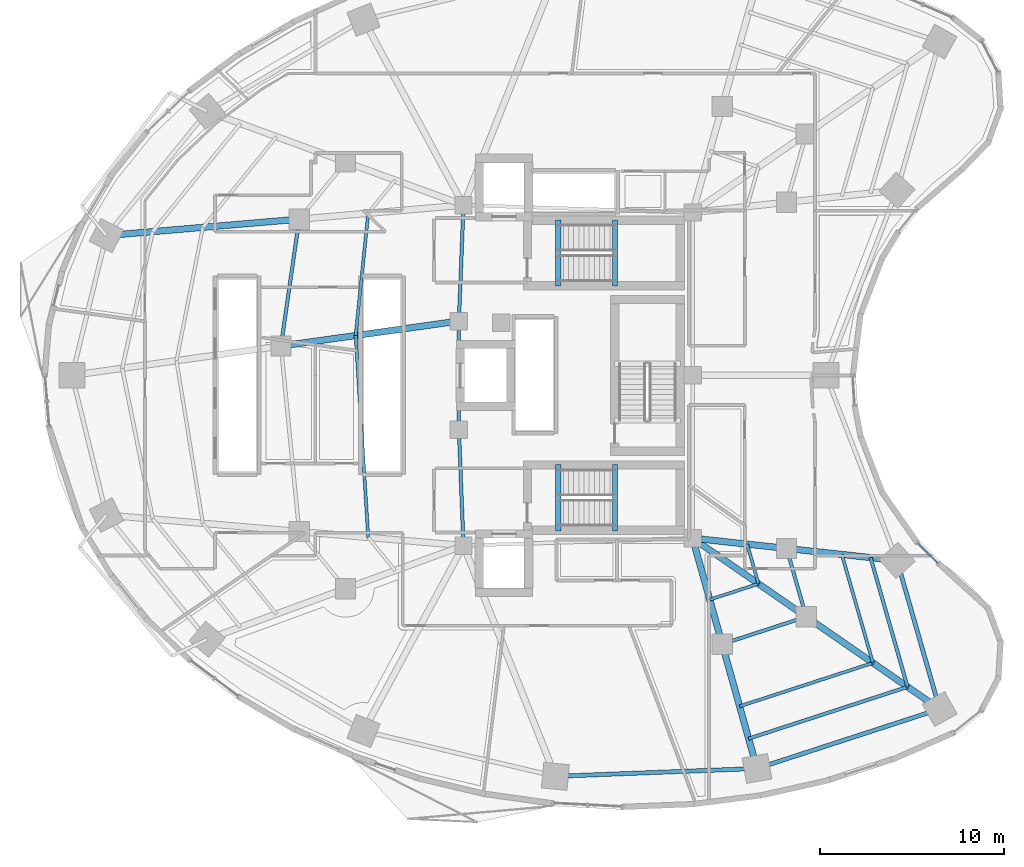
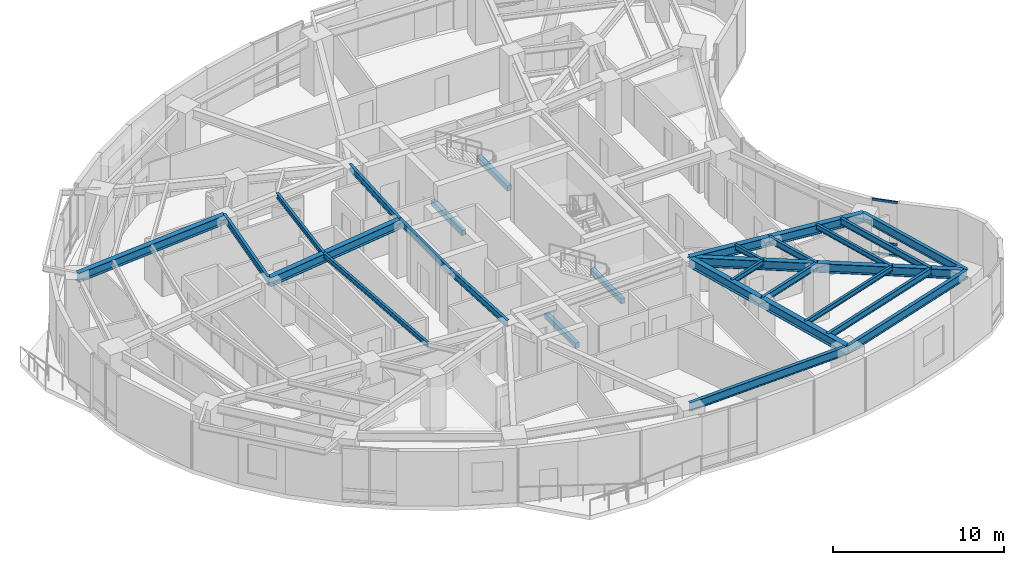
# One storey, part 3 of 16: 29 beams, 3 members, 1 element without a shape of its own.
"""IFC4 building model written with IfcOpenShell, lengths in metres."""

from ifc_helpers import new_model, si_unit, direction, frame, origin, origin_2d, place, context, subcontext, project, spatial, rectangle, i_section, extrude, material, layer, layer_set, material_profile, profile_set, type_object, element, aggregate, save


model = new_model("IFC4")

# Units and contexts
model_context = context("Model", 3, precision=1e-05, world=origin(), true_north=direction((0.0, 1.0)))
body_context = subcontext(model_context, "Body", "Model", "MODEL_VIEW")
ifc_project = project(units=[si_unit("LENGTHUNIT", "METRE"), si_unit("AREAUNIT", "SQUARE_METRE"), si_unit("VOLUMEUNIT", "CUBIC_METRE"), si_unit("PLANEANGLEUNIT", "RADIAN"), si_unit("MASSUNIT", "GRAM", prefix="KILO")], contexts=[model_context])

# Site, building, storey
site_placement = place(None, origin())
site = spatial("IfcSite", under=ifc_project, at=site_placement, CompositionType="ELEMENT")
building_placement = place(site_placement, origin())
building = spatial("IfcBuilding", under=site, at=building_placement, Name="Korentha Bioscience Tower", CompositionType="ELEMENT")
storey_placement = place(building_placement, frame((0.0, 0.0, 59.39990234375)))
storey = spatial("IfcBuildingStorey", under=building, at=storey_placement, Name="L13", CompositionType="ELEMENT", Elevation=59.39990234375)

# Beams
ifc_material_1 = material(Name="Concrete C50", Category="concrete")
ifc_material_profile_1 = material_profile(ifc_material_1, rectangle(XDim=0.280029296875, YDim=0.3798828125, at=origin_2d()), Name="Concrete C50")
ifc_profile_set_1 = profile_set([ifc_material_profile_1], Name="Concrete C50 (ST-HB380)")
beam_type_1 = type_object("IfcBeamType", Name="Concrete Stair Header Beam RC 280x380", PredefinedType="BEAM", material=ifc_profile_set_1)
for number, where, z_axis, x_axis, name in (
    (1, (30.25, 31.85009765625, -0.18994140625), (0.0, 1.0, 0.0), (-1.0, 0.0, 0.0), "L13 ST-1 Concrete Stair Header Beam"),
    (2, (33.330078125, 31.85009765625, 1.91015625), (0.0, 1.0, 0.0), (-1.0, 0.0, 0.0), "L13 ST-1 Half-Landing Header Beam 1"),
    (3, (30.25, 18.550048828125, -0.18994140625), (0.0, 1.0, 0.0), (-1.0, 0.0, 0.0), "L13 ST-2 Concrete Stair Header Beam"),
    (4, (33.330078125, 18.550048828125, 1.91015625), (0.0, 1.0, 0.0), (-1.0, 0.0, 0.0), "L13 ST-2 Half-Landing Header Beam 1"),
):
    element("IfcBeam", number, at=place(storey_placement, frame(where, z_axis=z_axis, x_axis=x_axis)), inside=storey, type_object=beam_type_1, Name=name, PredefinedType="BEAM", context=body_context, shape_type="SweptSolid", body=[
        extrude(rectangle(XDim=0.280029296875, YDim=0.3798828125, at=origin_2d()), origin(), (0.0, 0.0, 1.0), 3.599853515625),
    ])
ifc_material_2 = material(Name="Steel S355", Category="steel")
ifc_material_profile_2 = material_profile(ifc_material_2, i_section(OverallWidth=0.18994140625, OverallDepth=0.45703125, WebThickness=0.009033203125, FlangeThickness=0.014404296875, at=origin_2d()), Name="Steel S355")
ifc_profile_set_2 = profile_set([ifc_material_profile_2], Name="Steel S355 (MB-460)")
beam_type_2 = type_object("IfcBeamType", Name="Mid-Ring Tie Girder W460x74", PredefinedType="BEAM", material=ifc_profile_set_2)
beam_1_placement = place(storey_placement, frame((16.174072265625, 35.489013671875, 3.671630859375), z_axis=(-0.14286846228, -0.989741684727, 0.0), x_axis=(0.989741684727, -0.14286846228, 0.0)))
element("IfcBeam", 5, at=beam_1_placement, inside=storey, type_object=beam_type_2, Name="L13 Mid-Ring Tie Girder 06", PredefinedType="BEAM", context=body_context, shape_type="SweptSolid", body=[
    extrude(i_section(OverallWidth=0.18994140625, OverallDepth=0.45703125, WebThickness=0.009033203125, FlangeThickness=0.014404296875, at=origin_2d()), origin(), (0.0, 0.0, 1.0), 6.967041015625),
])
beam_2_placement = place(storey_placement, frame((39.1611328125, 12.392333984375, 3.671630859375), z_axis=(0.950877001105, 0.309568940253, 0.0), x_axis=(-0.309568940253, 0.950877001105, 0.0)))
element("IfcBeam", 6, at=beam_2_placement, inside=storey, type_object=beam_type_2, Name="L13 Mid-Ring Tie Girder 12", PredefinedType="BEAM", context=body_context, shape_type="SweptSolid", body=[
    extrude(i_section(OverallWidth=0.18994140625, OverallDepth=0.45703125, WebThickness=0.009033203125, FlangeThickness=0.014404296875, at=origin_2d()), origin(), (0.0, 0.0, 1.0), 4.80126953125),
])
beam_3_placement = place(storey_placement, frame((43.7265625, 13.878662109375, 3.671630859375), z_axis=(-0.27560557792, 0.961270807535, 0.0), x_axis=(-0.961270807535, -0.27560557792, 0.0)))
element("IfcBeam", 7, at=beam_3_placement, inside=storey, type_object=beam_type_2, Name="L13 Mid-Ring Tie Girder 13", PredefinedType="BEAM", context=body_context, shape_type="SweptSolid", body=[
    extrude(i_section(OverallWidth=0.18994140625, OverallDepth=0.45703125, WebThickness=0.009033203125, FlangeThickness=0.014404296875, at=origin_2d()), origin(), (0.0, 0.0, 1.0), 3.864013671875),
])
beam_4_placement = place(storey_placement, frame((25.10009765625, 36.25, 3.671630859375), z_axis=(-0.039651025576, -0.999213588864, 0.0), x_axis=(0.999213588864, -0.039651025576, 0.0)))
element("IfcBeam", 8, at=beam_4_placement, inside=storey, type_object=beam_type_2, Name="L13 Core Ring Tie Girder 02", PredefinedType="BEAM", context=body_context, shape_type="SweptSolid", body=[
    extrude(i_section(OverallWidth=0.18994140625, OverallDepth=0.45703125, WebThickness=0.009033203125, FlangeThickness=0.014404296875, at=origin_2d()), origin(), (0.0, 0.0, 1.0), 6.304931640625),
])
beam_5_placement = place(storey_placement, frame((24.85009765625, 29.949951171875, 3.671630859375), z_axis=(0.0, -1.0, 0.0), x_axis=(1.0, 0.0, 0.0)))
element("IfcBeam", 9, at=beam_5_placement, inside=storey, type_object=beam_type_2, Name="L13 Core Ring Tie Girder 03", PredefinedType="BEAM", context=body_context, shape_type="SweptSolid", body=[
    extrude(i_section(OverallWidth=0.18994140625, OverallDepth=0.45703125, WebThickness=0.009033203125, FlangeThickness=0.014404296875, at=origin_2d()), origin(), (0.0, 0.0, 1.0), 5.89990234375),
])
beam_6_placement = place(storey_placement, frame((24.85009765625, 24.050048828125, 3.671630859375), z_axis=(0.039651025576, -0.999213588864, 0.0), x_axis=(0.999213588864, 0.039651025576, 0.0)))
element("IfcBeam", 10, at=beam_6_placement, inside=storey, type_object=beam_type_2, Name="L13 Core Ring Tie Girder 04", PredefinedType="BEAM", context=body_context, shape_type="SweptSolid", body=[
    extrude(i_section(OverallWidth=0.18994140625, OverallDepth=0.45703125, WebThickness=0.009033203125, FlangeThickness=0.014404296875, at=origin_2d()), origin(), (0.0, 0.0, 1.0), 6.304931640625),
])
ifc_material_profile_3 = material_profile(ifc_material_2, i_section(OverallWidth=0.22802734375, OverallDepth=0.60791015625, WebThickness=0.01123046875, FlangeThickness=0.017333984375, at=origin_2d()), Name="Steel S355")
ifc_profile_set_3 = profile_set([ifc_material_profile_3], Name="Steel S355 (SB-610)")
beam_type_3 = type_object("IfcBeamType", Name="Perimeter Ring Spandrel Girder W610x113", PredefinedType="SPANDREL", material=ifc_profile_set_3)
beam_7_placement = place(storey_placement, frame((30.09423828125, 5.20751953125, 3.59619140625), z_axis=(0.999246003889, 0.03882555488, 0.0), x_axis=(-0.03882555488, 0.999246003889, 0.0)))
element("IfcBeam", 11, at=beam_7_placement, inside=storey, type_object=beam_type_3, Name="L13 Perimeter Spandrel Girder 11", PredefinedType="SPANDREL", context=body_context, shape_type="SweptSolid", body=[
    extrude(i_section(OverallWidth=0.22802734375, OverallDepth=0.60791015625, WebThickness=0.01123046875, FlangeThickness=0.017333984375, at=origin_2d()), origin(), (0.0, 0.0, 1.0), 10.966552734375),
])
beam_8_placement = place(storey_placement, frame((41.052490234375, 5.63330078125, 3.59619140625), z_axis=(0.95087511444, 0.309574735305, 0.0), x_axis=(-0.309574735305, 0.95087511444, 0.0)))
element("IfcBeam", 12, at=beam_8_placement, inside=storey, type_object=beam_type_3, Name="L13 Perimeter Spandrel Girder 12", PredefinedType="SPANDREL", context=body_context, shape_type="SweptSolid", body=[
    extrude(i_section(OverallWidth=0.22802734375, OverallDepth=0.60791015625, WebThickness=0.01123046875, FlangeThickness=0.017333984375, at=origin_2d()), origin(), (0.0, 0.0, 1.0), 10.4375),
])
beam_9_placement = place(storey_placement, frame((50.977294921875, 8.864501953125, 3.59619140625), z_axis=(-0.275642273411, 0.961260285827, 0.0), x_axis=(-0.961260285827, -0.275642273411, 0.0)))
element("IfcBeam", 13, at=beam_9_placement, inside=storey, type_object=beam_type_3, Name="L13 Perimeter Spandrel Girder 13", PredefinedType="SPANDREL", context=body_context, shape_type="SweptSolid", body=[
    extrude(i_section(OverallWidth=0.22802734375, OverallDepth=0.60791015625, WebThickness=0.01123046875, FlangeThickness=0.017333984375, at=origin_2d()), origin(), (0.0, 0.0, 1.0), 8.400146484375),
])
ifc_material_profile_4 = material_profile(ifc_material_2, i_section(OverallWidth=0.18994140625, OverallDepth=0.45703125, WebThickness=0.009033203125, FlangeThickness=0.014404296875, at=origin_2d()), Name="Steel S355")
ifc_profile_set_4 = profile_set([ifc_material_profile_4], Name="Steel S355 (RB-460)")
beam_type_4 = type_object("IfcBeamType", Name="Radial Laboratory Beam W460x74", PredefinedType="BEAM", material=ifc_profile_set_4)
beam_10_placement = place(storey_placement, frame((40.5986328125, 7.255615234375, 3.671630859375), z_axis=(0.95087437499, 0.309577006554, 0.0), x_axis=(-0.309577006554, 0.95087437499, 0.0)))
element("IfcBeam", 14, at=beam_10_placement, inside=storey, type_object=beam_type_4, Name="L13 Secondary Floor Beam JSTO-12", PredefinedType="BEAM", context=body_context, shape_type="SweptSolid", body=[
    extrude(i_section(OverallWidth=0.18994140625, OverallDepth=0.45703125, WebThickness=0.009033203125, FlangeThickness=0.014404296875, at=origin_2d()), origin(), (0.0, 0.0, 1.0), 9.0849609375),
])
beam_11_placement = place(storey_placement, frame((49.2373046875, 10.068115234375, 3.671630859375), z_axis=(-0.275682421415, 0.961248772443, 0.0), x_axis=(-0.961248772443, -0.275682421415, 0.0)))
element("IfcBeam", 15, at=beam_11_placement, inside=storey, type_object=beam_type_4, Name="L13 Secondary Floor Beam JSTO-13", PredefinedType="BEAM", context=body_context, shape_type="SweptSolid", body=[
    extrude(i_section(OverallWidth=0.18994140625, OverallDepth=0.45703125, WebThickness=0.009033203125, FlangeThickness=0.014404296875, at=origin_2d()), origin(), (0.0, 0.0, 1.0), 7.3115234375),
])
ifc_material_profile_5 = material_profile(ifc_material_2, i_section(OverallWidth=0.35009765625, OverallDepth=0.64990234375, WebThickness=0.01611328125, FlangeThickness=0.02490234375, at=origin_2d()), Name="Steel S355")
ifc_profile_set_5 = profile_set([ifc_material_profile_5], Name="Steel S355 (RB-650)")
beam_type_5 = type_object("IfcBeamType", Name="Radial Laboratory Girder CVS 650x208", PredefinedType="BEAM", material=ifc_profile_set_5)
beam_12_placement = place(storey_placement, frame((16.174072265625, 35.489013671875, 3.5751953125), z_axis=(-0.996385601055, -0.084945476695, 0.0), x_axis=(0.084945476695, -0.996385601055, 0.0)))
element("IfcBeam", 16, at=beam_12_placement, inside=storey, type_object=beam_type_5, Name="L13 Outer Radial Girder 06", PredefinedType="BEAM", context=body_context, shape_type="SweptSolid", body=[
    extrude(i_section(OverallWidth=0.35009765625, OverallDepth=0.64990234375, WebThickness=0.01611328125, FlangeThickness=0.02490234375, at=origin_2d()), origin(), (0.0, 0.0, 1.0), 10.516357421875),
])
beam_13_placement = place(storey_placement, frame((24.85009765625, 29.949951171875, 3.5751953125), z_axis=(-0.990307253072, -0.138894004596, 0.0), x_axis=(0.138894004596, -0.990307253072, 0.0)))
element("IfcBeam", 17, at=beam_13_placement, inside=storey, type_object=beam_type_5, Name="L13 Inner Radial Girder 07", PredefinedType="BEAM", context=body_context, shape_type="SweptSolid", body=[
    extrude(i_section(OverallWidth=0.35009765625, OverallDepth=0.64990234375, WebThickness=0.01611328125, FlangeThickness=0.02490234375, at=origin_2d()), origin(), (0.0, 0.0, 1.0), 9.76611328125),
])
beam_14_placement = place(storey_placement, frame((37.550048828125, 18.14990234375, 3.5751953125), z_axis=(0.269469369205, -0.963008961049, 0.0), x_axis=(0.963008961049, 0.269469369205, 0.0)))
element("IfcBeam", 18, at=beam_14_placement, inside=storey, type_object=beam_type_5, Name="L13 Inner Radial Girder 12", PredefinedType="BEAM", context=body_context, shape_type="SweptSolid", body=[
    extrude(i_section(OverallWidth=0.35009765625, OverallDepth=0.64990234375, WebThickness=0.01611328125, FlangeThickness=0.02490234375, at=origin_2d()), origin(), (0.0, 0.0, 1.0), 5.978759765625),
])
beam_15_placement = place(storey_placement, frame((39.1611328125, 12.392333984375, 3.5751953125), z_axis=(0.269475095129, -0.963007358801, 0.0), x_axis=(0.963007358801, 0.269475095129, 0.0)))
element("IfcBeam", 19, at=beam_15_placement, inside=storey, type_object=beam_type_5, Name="L13 Outer Radial Girder 12", PredefinedType="BEAM", context=body_context, shape_type="SweptSolid", body=[
    extrude(i_section(OverallWidth=0.35009765625, OverallDepth=0.64990234375, WebThickness=0.01611328125, FlangeThickness=0.02490234375, at=origin_2d()), origin(), (0.0, 0.0, 1.0), 7.0185546875),
])
beam_16_placement = place(storey_placement, frame((37.550048828125, 18.14990234375, 3.5751953125), z_axis=(0.822491697625, -0.568777115694, 0.0), x_axis=(0.568777115694, 0.822491697625, 0.0)))
element("IfcBeam", 20, at=beam_16_placement, inside=storey, type_object=beam_type_5, Name="L13 Inner Radial Girder 13", PredefinedType="BEAM", context=body_context, shape_type="SweptSolid", body=[
    extrude(i_section(OverallWidth=0.35009765625, OverallDepth=0.64990234375, WebThickness=0.01611328125, FlangeThickness=0.02490234375, at=origin_2d()), origin(), (0.0, 0.0, 1.0), 7.509521484375),
])
beam_17_placement = place(storey_placement, frame((43.7265625, 13.878662109375, 3.5751953125), z_axis=(0.822488186113, -0.568782193555, 0.0), x_axis=(0.568782193555, 0.822488186113, 0.0)))
element("IfcBeam", 21, at=beam_17_placement, inside=storey, type_object=beam_type_5, Name="L13 Outer Radial Girder 13", PredefinedType="BEAM", context=body_context, shape_type="SweptSolid", body=[
    extrude(i_section(OverallWidth=0.35009765625, OverallDepth=0.64990234375, WebThickness=0.01611328125, FlangeThickness=0.02490234375, at=origin_2d()), origin(), (0.0, 0.0, 1.0), 8.815673828125),
])
beam_18_placement = place(storey_placement, frame((37.550048828125, 18.14990234375, 3.5751953125), z_axis=(0.994117709144, -0.10830503389, 0.0), x_axis=(0.10830503389, 0.994117709144, 0.0)))
element("IfcBeam", 22, at=beam_18_placement, inside=storey, type_object=beam_type_5, Name="L13 Inner Radial Girder 14", PredefinedType="BEAM", context=body_context, shape_type="SweptSolid", body=[
    extrude(i_section(OverallWidth=0.35009765625, OverallDepth=0.64990234375, WebThickness=0.01611328125, FlangeThickness=0.02490234375, at=origin_2d()), origin(), (0.0, 0.0, 1.0), 5.141845703125),
])
beam_19_placement = place(storey_placement, frame((42.66162109375, 17.593017578125, 3.5751953125), z_axis=(0.994115805925, -0.108322501862, 0.0), x_axis=(0.108322501862, 0.994115805925, 0.0)))
element("IfcBeam", 23, at=beam_19_placement, inside=storey, type_object=beam_type_5, Name="L13 Outer Radial Girder 14", PredefinedType="BEAM", context=body_context, shape_type="SweptSolid", body=[
    extrude(i_section(OverallWidth=0.35009765625, OverallDepth=0.64990234375, WebThickness=0.01611328125, FlangeThickness=0.02490234375, at=origin_2d()), origin(), (0.0, 0.0, 1.0), 6.03564453125),
])
ifc_material_profile_6 = material_profile(ifc_material_2, i_section(OverallWidth=0.1708984375, OverallDepth=0.35498046875, WebThickness=0.007080078125, FlangeThickness=0.01171875, at=origin_2d()), Name="Steel S355")
ifc_profile_set_6 = profile_set([ifc_material_profile_6], Name="Steel S355 (JB-360)")
beam_type_6 = type_object("IfcBeamType", Name="Secondary Laboratory Joist W360x51", PredefinedType="JOIST", material=ifc_profile_set_6)
beam_20_placement = place(storey_placement, frame((19.9228515625, 35.80859375, 3.72265625), z_axis=(-0.102144778597, -0.994769543264, 0.0), x_axis=(0.994769543264, -0.102144778597, 0.0)))
element("IfcBeam", 24, at=beam_20_placement, inside=storey, type_object=beam_type_6, Name="L13 Inner Bay Joist 06", PredefinedType="JOIST", context=body_context, shape_type="SweptSolid", body=[
    extrude(i_section(OverallWidth=0.1708984375, OverallDepth=0.35498046875, WebThickness=0.007080078125, FlangeThickness=0.01171875, at=origin_2d()), origin(), (0.0, 0.0, 1.0), 6.680419921875),
])
beam_21_placement = place(storey_placement, frame((19.240478515625, 29.1630859375, 3.72265625), z_axis=(0.062074098012, -0.998071543706, 0.0), x_axis=(0.998071543706, 0.062074098012, 0.0)))
element("IfcBeam", 25, at=beam_21_placement, inside=storey, type_object=beam_type_6, Name="L13 Inner Bay Joist 07", PredefinedType="JOIST", context=body_context, shape_type="SweptSolid", body=[
    extrude(i_section(OverallWidth=0.1708984375, OverallDepth=0.35498046875, WebThickness=0.007080078125, FlangeThickness=0.01171875, at=origin_2d()), origin(), (0.0, 0.0, 1.0), 10.992919921875),
])
beam_22_placement = place(storey_placement, frame((40.10693359375, 9.0126953125, 3.72265625), z_axis=(0.950870992772, 0.309587394938, 0.0), x_axis=(-0.309587394938, 0.950870992772, 0.0)))
element("IfcBeam", 26, at=beam_22_placement, inside=storey, type_object=beam_type_6, Name="L13 Secondary Floor Beam JST-12", PredefinedType="JOIST", context=body_context, shape_type="SweptSolid", body=[
    extrude(i_section(OverallWidth=0.1708984375, OverallDepth=0.35498046875, WebThickness=0.007080078125, FlangeThickness=0.01171875, at=origin_2d()), origin(), (0.0, 0.0, 1.0), 7.619384765625),
])
beam_23_placement = place(storey_placement, frame((38.484619140625, 14.810546875, 3.72265625), z_axis=(0.950869630746, 0.309591578254, 0.0), x_axis=(-0.309591578254, 0.950869630746, 0.0)))
element("IfcBeam", 27, at=beam_23_placement, inside=storey, type_object=beam_type_6, Name="L13 Inner Bay Joist 12", PredefinedType="JOIST", context=body_context, shape_type="SweptSolid", body=[
    extrude(i_section(OverallWidth=0.1708984375, OverallDepth=0.35498046875, WebThickness=0.007080078125, FlangeThickness=0.01171875, at=origin_2d()), origin(), (0.0, 0.0, 1.0), 2.784423828125),
])
beam_24_placement = place(storey_placement, frame((47.35205078125, 11.37158203125, 3.72265625), z_axis=(-0.275667500387, 0.96125305161, 0.0), x_axis=(-0.96125305161, -0.275667500387, 0.0)))
element("IfcBeam", 28, at=beam_24_placement, inside=storey, type_object=beam_type_6, Name="L13 Secondary Floor Beam JST-13", PredefinedType="JOIST", context=body_context, shape_type="SweptSolid", body=[
    extrude(i_section(OverallWidth=0.1708984375, OverallDepth=0.35498046875, WebThickness=0.007080078125, FlangeThickness=0.01171875, at=origin_2d()), origin(), (0.0, 0.0, 1.0), 6.132080078125),
])
beam_25_placement = place(storey_placement, frame((41.13232421875, 15.672607421875, 3.72265625), z_axis=(-0.275613067773, 0.961268660091, 0.0), x_axis=(-0.961268660091, -0.275613067773, 0.0)))
element("IfcBeam", 29, at=beam_25_placement, inside=storey, type_object=beam_type_6, Name="L13 Inner Bay Joist 13", PredefinedType="JOIST", context=body_context, shape_type="SweptSolid", body=[
    extrude(i_section(OverallWidth=0.1708984375, OverallDepth=0.35498046875, WebThickness=0.007080078125, FlangeThickness=0.01171875, at=origin_2d()), origin(), (0.0, 0.0, 1.0), 2.2412109375),
])

# Curtain wall, members
ifc_material_3 = material(Name="Thermally Broken Aluminium Frame", Category="aluminium")
ifc_layer = layer(ifc_material_3, 0.219970703125, Name="Thermally Broken Aluminium Frame")
ifc_layer_set = layer_set([ifc_layer], Name="Thermally Broken Aluminium Frame (CW-T1)")
curtain_wall_type = type_object("IfcCurtainWallType", Name="Standard Bioscience Lab Unitised Curtain Wall CW-T1", PredefinedType="USERDEFINED", material=ifc_layer_set)
curtain_wall_placement = place(storey_placement, origin())
curtain_wall = element("IfcCurtainWall", 30, at=curtain_wall_placement, inside=storey, type_object=curtain_wall_type, Name="L13 Curtain Wall 43", ObjectType="UNITISED", PredefinedType="USERDEFINED")
ifc_material_4 = material(Name="Anodised Aluminium 6063-T6", Category="aluminium")
ifc_material_profile_7 = material_profile(ifc_material_4, rectangle(XDim=0.090087890625, YDim=0.159912109375, at=origin_2d()), Name="Anodised Aluminium 6063-T6")
ifc_profile_set_7 = profile_set([ifc_material_profile_7], Name="Anodised Aluminium 6063-T6 (CW-TRN)")
member_type = type_object("IfcMemberType", Name="Transom RECT 90x160", PredefinedType="USERDEFINED", material=ifc_profile_set_7)
member_1_placement = place(storey_placement, frame((50.8818359375, 16.796875, 0.045166015625), z_axis=(-0.713350356322, 0.700807583531, 0.0), x_axis=(-0.700807583531, -0.713350356322, 0.0)))
member_1 = element("IfcMember", 31, at=member_1_placement, type_object=member_type, Name="CW-L13-43 Bay 1 Transom 1", ObjectType="TRANSOM", PredefinedType="USERDEFINED", context=body_context, shape_type="SweptSolid", body=[
    extrude(rectangle(XDim=0.090087890625, YDim=0.159912109375, at=origin_2d()), origin(), (0.0, 0.0, 1.0), 1.53759765625),
])
member_2_placement = place(storey_placement, frame((50.8818359375, 16.796875, 0.85009765625), z_axis=(-0.713350356322, 0.700807583531, 0.0), x_axis=(-0.700807583531, -0.713350356322, 0.0)))
member_2 = element("IfcMember", 32, at=member_2_placement, type_object=member_type, Name="CW-L13-43 Bay 1 Transom 2", ObjectType="TRANSOM", PredefinedType="USERDEFINED", context=body_context, shape_type="SweptSolid", body=[
    extrude(rectangle(XDim=0.090087890625, YDim=0.159912109375, at=origin_2d()), origin(), (0.0, 0.0, 1.0), 1.53759765625),
])
member_3_placement = place(storey_placement, frame((50.8818359375, 16.796875, 3.85498046875), z_axis=(-0.713350356322, 0.700807583531, 0.0), x_axis=(-0.700807583531, -0.713350356322, 0.0)))
member_3 = element("IfcMember", 33, at=member_3_placement, type_object=member_type, Name="CW-L13-43 Bay 1 Transom 3", ObjectType="TRANSOM", PredefinedType="USERDEFINED", context=body_context, shape_type="SweptSolid", body=[
    extrude(rectangle(XDim=0.090087890625, YDim=0.159912109375, at=origin_2d()), origin(), (0.0, 0.0, 1.0), 1.53759765625),
])
aggregate(curtain_wall, [member_1, member_2, member_3])

save(model, "model.ifc")
